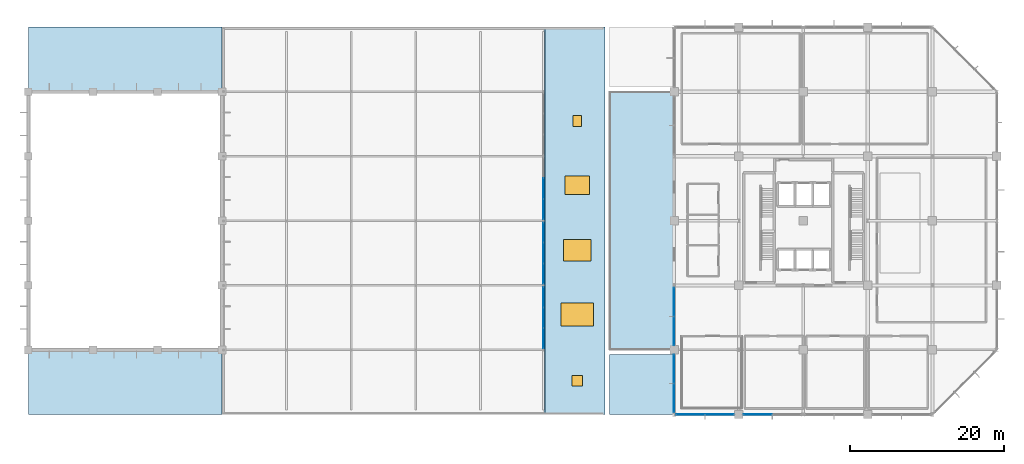
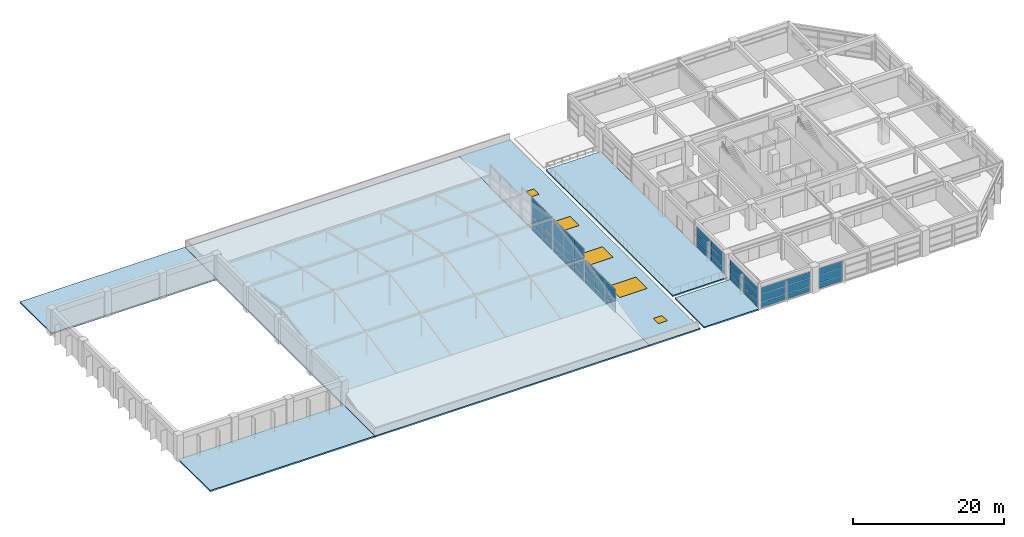
# One storey, part 27 of 34: 45 plates, 6 slabs, 3 windows, 2 doors, 5 openings, 7 elements without a shape of their own.
"""IFC4 building model written with IfcOpenShell, lengths in metres."""

import ifcopenshell
import ifcopenshell.guid

model = None  # the IFC model being written
_history = None  # IfcOwnerHistory: only IFC2X3 demands one
_inside = {}  # id of a spatial element -> (the spatial element, [elements in it])
_under = {}  # id of a project, library or spatial element -> (it, [spatial elements below it])
_declared = {}  # id of a project -> (the project, [libraries it declares])
_typed = {}  # id of a type object -> (the type object, [elements of that type])
_made_of = {}  # id of a material, layer set ... -> (it, [elements and type objects made of it])


def new_model(schema):
    """Start an empty IFC model of exactly this schema.

    Asked for "IFC4X3", IfcOpenShell would pick the latest addendum, in which some entities
    have other attributes; the version numbers below select the first issue.
    IFC2X3 requires an IfcOwnerHistory on every rooted entity: one is made here for all.
    """
    global model, _history
    if schema == "IFC4X3":
        model = ifcopenshell.file(schema_version=(4, 3, 0, 0))
    else:
        model = ifcopenshell.file(schema=schema)
    _inside.clear()
    _under.clear()
    _declared.clear()
    _typed.clear()
    _made_of.clear()
    _history = None
    if model.schema == "IFC2X3":
        org = make("IfcOrganization", Name="unknown")
        user = make(
            "IfcPersonAndOrganization",
            ThePerson=make("IfcPerson", FamilyName="unknown"),
            TheOrganization=org,
        )
        app = make(
            "IfcApplication",
            ApplicationDeveloper=org,
            Version="unknown",
            ApplicationFullName="unknown",
            ApplicationIdentifier="unknown",
        )
        _history = make(
            "IfcOwnerHistory",
            OwningUser=user,
            OwningApplication=app,
            ChangeAction="ADDED",
            CreationDate=0,
        )
    return model


def make(cls, **values):
    """One entity of the class cls with the attributes given. An attribute that is None is left unset."""
    return model.create_entity(
        cls, **{name: value for name, value in values.items() if value is not None}
    )


def rooted(cls, **values):
    """An entity with a GlobalId (a new one), such as an element, a storey or a relation."""
    return make(cls, GlobalId=ifcopenshell.guid.new(), OwnerHistory=_history, **values)


def si_unit(unit_type, name, prefix=None):
    """IfcSIUnit, for example si_unit("LENGTHUNIT", "METRE", prefix="MILLI")."""
    return make("IfcSIUnit", UnitType=unit_type, Prefix=prefix, Name=name)


def assignment(units):
    """IfcUnitAssignment: the units of a project."""
    return None if units is None else make("IfcUnitAssignment", Units=units)


def point(xyz):
    """IfcCartesianPoint."""
    return None if xyz is None else make("IfcCartesianPoint", Coordinates=xyz)


def direction(xyz):
    """IfcDirection."""
    return None if xyz is None else make("IfcDirection", DirectionRatios=xyz)


def frame(location, z_axis=None, x_axis=None):
    """IfcAxis2Placement3D, a coordinate frame: its origin and axes. An axis left out is left unset."""
    return make(
        "IfcAxis2Placement3D",
        Location=point(location),
        Axis=direction(z_axis),
        RefDirection=direction(x_axis),
    )


def frame_2d(location, x_axis=None):
    """IfcAxis2Placement2D, a coordinate frame in the plane: its origin and x axis."""
    return make(
        "IfcAxis2Placement2D", Location=point(location), RefDirection=direction(x_axis)
    )


def origin():
    """The frame at (0, 0, 0) with its axes left unset."""
    return frame((0.0, 0.0, 0.0))


def origin_2d():
    """The frame at (0, 0) in the plane with its x axis left unset."""
    return frame_2d((0.0, 0.0))


def place(relative_to, where):
    """IfcLocalPlacement: puts the frame where relative to a parent placement (None: the world)."""
    return make(
        "IfcLocalPlacement", PlacementRelTo=relative_to, RelativePlacement=where
    )


def context(
    kind, dimensions, precision=None, world=None, true_north=None, identifier=None
):
    """IfcGeometricRepresentationContext, for example the 3D "Model" context."""
    return make(
        "IfcGeometricRepresentationContext",
        ContextIdentifier=identifier,
        ContextType=kind,
        CoordinateSpaceDimension=dimensions,
        Precision=precision,
        WorldCoordinateSystem=world,
        TrueNorth=true_north,
    )


def subcontext(parent, identifier, kind, view, scale=None):
    """IfcGeometricRepresentationSubContext, for example "Body" below "Model"."""
    return make(
        "IfcGeometricRepresentationSubContext",
        ContextIdentifier=identifier,
        ContextType=kind,
        ParentContext=parent,
        TargetScale=scale,
        TargetView=view,
    )


def project(units=None, contexts=None):
    """IfcProject with its units and contexts."""
    return rooted(
        "IfcProject",
        Name="project",
        RepresentationContexts=contexts,
        UnitsInContext=assignment(units),
    )


def spatial(cls, under=None, at=None, **own):
    """A site, building, storey or space (cls), placed at a placement, below another one or the project."""
    s = rooted(cls, ObjectPlacement=at, **own)
    if under is not None:
        _under.setdefault(under.id(), (under, []))[1].append(s)
    return s


def polyline(points):
    """IfcPolyline through the points."""
    return make("IfcPolyline", Points=[point(p) for p in points])


def profile(cls, at=None, kind="AREA", **sizes):
    """A parametric profile (cls). Its sizes go by their IFC names, for example OverallWidth=200.0."""
    return make(cls, ProfileType=kind, Position=at, **sizes)


def rectangle(**sizes):
    """IfcRectangleProfileDef."""
    return profile("IfcRectangleProfileDef", **sizes)


def outline(outer, holes=None, kind="AREA"):
    """IfcArbitraryClosedProfileDef: a profile drawn as a closed curve; with holes, ...WithVoids."""
    if holes is None:
        return make("IfcArbitraryClosedProfileDef", ProfileType=kind, OuterCurve=outer)
    return make(
        "IfcArbitraryProfileDefWithVoids",
        ProfileType=kind,
        OuterCurve=outer,
        InnerCurves=holes,
    )


def extrude(swept, where, along, depth):
    """IfcExtrudedAreaSolid: the profile swept, set in the frame where, extruded along a direction by depth."""
    return make(
        "IfcExtrudedAreaSolid",
        SweptArea=swept,
        Position=where,
        ExtrudedDirection=direction(along),
        Depth=depth,
    )


def shape(context_of_items, identifier, shape_type, items):
    """IfcShapeRepresentation: the items that make up one representation, for example the "Body"."""
    return make(
        "IfcShapeRepresentation",
        ContextOfItems=context_of_items,
        RepresentationIdentifier=identifier,
        RepresentationType=shape_type,
        Items=items,
    )


def material(Name=None, Category=None):
    """IfcMaterial."""
    return make("IfcMaterial", Name=Name, Category=Category)


def layer(
    of_material, thickness, ventilated=None, Name=None, Category=None, Priority=None
):
    """IfcMaterialLayer: one layer of a wall or slab, of a material (None: an air gap)."""
    return make(
        "IfcMaterialLayer",
        Material=of_material,
        LayerThickness=thickness,
        IsVentilated=ventilated,
        Name=Name,
        Category=Category,
        Priority=Priority,
    )


def layer_set(layers, Name=None):
    """IfcMaterialLayerSet."""
    return make("IfcMaterialLayerSet", MaterialLayers=layers, LayerSetName=Name)


def made_of(thing, what):
    """Note that an element or type object is made of a material, layer set ...; save() writes the relation."""
    if what is not None:
        _made_of.setdefault(what.id(), (what, []))[1].append(thing)
    return thing


def type_object(cls, material=None, **own):
    """A type object (cls), such as IfcWallType, which elements share."""
    return made_of(rooted(cls, **own), material)


def element(
    cls,
    number,
    at=None,
    inside=None,
    cuts=None,
    type_object=None,
    material=None,
    context=None,
    identifier="Body",
    shape_type=None,
    held_by="IfcProductDefinitionShape",
    body=None,
    shapes=None,
    **own,
):
    """One element of the class cls, such as IfcWall. Its Tag is "e" and its number.

    at: its placement. inside: the storey or other place that contains it. cuts: it is an
    opening in that element (IfcRelVoidsElement). A single representation is given by context,
    identifier, shape_type and body (its items); several are given by shapes. held_by: the class
    of the entity that holds the representations. save() writes the other relations.
    """
    e = rooted(cls, Tag="e%d" % number, ObjectPlacement=at, **own)
    if body is not None:
        shapes = [shape(context, identifier, shape_type, body)]
    if shapes is not None:
        e.Representation = make(held_by, Representations=shapes)
    if inside is not None:
        _inside.setdefault(inside.id(), (inside, []))[1].append(e)
    if cuts is not None:
        rooted(
            "IfcRelVoidsElement", RelatingBuildingElement=cuts, RelatedOpeningElement=e
        )
    if type_object is not None:
        _typed.setdefault(type_object.id(), (type_object, []))[1].append(e)
    return made_of(e, material)


def fill(opening, filler):
    """IfcRelFillsElement: the door or window that sits in an opening."""
    return rooted(
        "IfcRelFillsElement",
        RelatingOpeningElement=opening,
        RelatedBuildingElement=filler,
    )


def aggregate(whole, parts):
    """IfcRelAggregates: a whole, such as a stair, and the parts it consists of."""
    return rooted("IfcRelAggregates", RelatingObject=whole, RelatedObjects=parts)


def save(model, path):
    """Write the relations noted so far, then the file.

    IfcRelAggregates (storeys below a building ...), IfcRelContainedInSpatialStructure (elements
    in a storey), IfcRelDefinesByType, IfcRelAssociatesMaterial and IfcRelDeclares: one each for
    every whole, place, type object, material and project.
    """
    for whole, parts in _under.values():
        aggregate(whole, parts)
    for where, things in _inside.values():
        rooted(
            "IfcRelContainedInSpatialStructure",
            RelatedElements=things,
            RelatingStructure=where,
        )
    for kind, things in _typed.values():
        rooted("IfcRelDefinesByType", RelatedObjects=things, RelatingType=kind)
    for what, things in _made_of.values():
        rooted("IfcRelAssociatesMaterial", RelatedObjects=things, RelatingMaterial=what)
    for by, libraries in _declared.values():
        rooted("IfcRelDeclares", RelatingContext=by, RelatedDefinitions=libraries)
    model.write(path)


model = new_model("IFC4")

# Units and contexts
model_context = context("Model", 3, precision=1e-05, world=origin(), true_north=direction((0.0, 1.0)))
body_context = subcontext(model_context, "Body", "Model", "MODEL_VIEW")
ifc_project = project(units=[si_unit("LENGTHUNIT", "METRE"), si_unit("AREAUNIT", "SQUARE_METRE"), si_unit("VOLUMEUNIT", "CUBIC_METRE"), si_unit("PLANEANGLEUNIT", "RADIAN"), si_unit("MASSUNIT", "GRAM", prefix="KILO")], contexts=[model_context])

# Site, building, storey
site_placement = place(None, origin())
site = spatial("IfcSite", under=ifc_project, at=site_placement, CompositionType="ELEMENT")
building_placement = place(site_placement, origin())
building = spatial("IfcBuilding", under=site, at=building_placement, Name="Xuanlan Plaza Opera House", CompositionType="ELEMENT")
storey_placement = place(building_placement, frame((0.0, 0.0, 27.89990234375)))
storey = spatial("IfcBuildingStorey", under=building, at=storey_placement, Name="L06", CompositionType="ELEMENT", Elevation=27.89990234375)

# Curtain wall, plates
ifc_material_1 = material(Name="Anodised Aluminium 6063-T6 and Low-E Glass", Category="aluminium")
curtain_wall_type_1 = type_object("IfcCurtainWallType", Name="ENV-CW-CW-01", PredefinedType="USERDEFINED", material=ifc_material_1)
curtain_wall_1_placement = place(storey_placement, origin())
curtain_wall_1 = element("IfcCurtainWall", 1, at=curtain_wall_1_placement, inside=storey, type_object=curtain_wall_type_1, Name="Unitised Curtain Wall L06-001", ObjectType="UNITISED CURTAIN WALL", PredefinedType="USERDEFINED")
ifc_material_2 = material(Name="Laminated Acoustic Double Glazing", Category="glass")
ifc_layer_1 = layer(ifc_material_2, 0.028076171875)
ifc_layer_set_1 = layer_set([ifc_layer_1], Name="Laminated Acoustic Double Glazing")
plate_type_1 = type_object("IfcPlateType", Name="ENV-CWP-01", PredefinedType="CURTAIN_PANEL", material=ifc_layer_set_1)
plate_1_placement = place(storey_placement, frame((128.142578125, 33.60009765625, 0.090087890625), z_axis=(0.0, 0.0, 1.0), x_axis=(1.0, 0.0, 0.0)))
plate_1 = element("IfcPlate", 2, at=plate_1_placement, type_object=plate_type_1, Name="CW-01 panel 1.1", PredefinedType="CURTAIN_PANEL", context=body_context, shape_type="SweptSolid", body=[
    extrude(rectangle(XDim=3.68505859375, YDim=0.028076171875, at=origin_2d()), origin(), (0.0, 0.0, 1.0), 0.81494140625),
])
plate_2_placement = place(storey_placement, frame((128.142578125, 33.60009765625, 0.9951171875), z_axis=(0.0, 0.0, 1.0), x_axis=(1.0, 0.0, 0.0)))
plate_2 = element("IfcPlate", 3, at=plate_2_placement, type_object=plate_type_1, Name="CW-01 panel 1.2", PredefinedType="CURTAIN_PANEL", context=body_context, shape_type="SweptSolid", body=[
    extrude(rectangle(XDim=3.68505859375, YDim=0.028076171875, at=origin_2d()), origin(), (0.0, 0.0, 1.0), 1.2099609375),
])
plate_3_placement = place(storey_placement, frame((128.142578125, 33.60009765625, 2.294921875), z_axis=(0.0, 0.0, 1.0), x_axis=(1.0, 0.0, 0.0)))
plate_3 = element("IfcPlate", 4, at=plate_3_placement, type_object=plate_type_1, Name="CW-01 panel 1.3", PredefinedType="CURTAIN_PANEL", context=body_context, shape_type="SweptSolid", body=[
    extrude(rectangle(XDim=3.68505859375, YDim=0.028076171875, at=origin_2d()), origin(), (0.0, 0.0, 1.0), 0.9951171875),
])
plate_4_placement = place(storey_placement, frame((131.907470703125, 33.60009765625, 0.090087890625), z_axis=(0.0, 0.0, 1.0), x_axis=(1.0, 0.0, 0.0)))
plate_4 = element("IfcPlate", 5, at=plate_4_placement, type_object=plate_type_1, Name="CW-01 panel 2.1", PredefinedType="CURTAIN_PANEL", context=body_context, shape_type="SweptSolid", body=[
    extrude(rectangle(XDim=3.68505859375, YDim=0.028076171875, at=origin_2d()), origin(), (0.0, 0.0, 1.0), 0.81494140625),
])
plate_5_placement = place(storey_placement, frame((131.907470703125, 33.60009765625, 0.9951171875), z_axis=(0.0, 0.0, 1.0), x_axis=(1.0, 0.0, 0.0)))
plate_5 = element("IfcPlate", 6, at=plate_5_placement, type_object=plate_type_1, Name="CW-01 panel 2.2", PredefinedType="CURTAIN_PANEL", context=body_context, shape_type="SweptSolid", body=[
    extrude(rectangle(XDim=3.68505859375, YDim=0.028076171875, at=origin_2d()), origin(), (0.0, 0.0, 1.0), 1.2099609375),
])
plate_6_placement = place(storey_placement, frame((131.907470703125, 33.60009765625, 2.294921875), z_axis=(0.0, 0.0, 1.0), x_axis=(1.0, 0.0, 0.0)))
plate_6 = element("IfcPlate", 7, at=plate_6_placement, type_object=plate_type_1, Name="CW-01 panel 2.3", PredefinedType="CURTAIN_PANEL", context=body_context, shape_type="SweptSolid", body=[
    extrude(rectangle(XDim=3.68505859375, YDim=0.028076171875, at=origin_2d()), origin(), (0.0, 0.0, 1.0), 0.9951171875),
])
aggregate(curtain_wall_1, [plate_1, plate_2, plate_3, plate_4, plate_5, plate_6])

curtain_wall_type_2 = type_object("IfcCurtainWallType", Name="ENV-CW-CW-04", PredefinedType="USERDEFINED", material=ifc_material_1)
curtain_wall_2_placement = place(storey_placement, origin())
curtain_wall_2 = element("IfcCurtainWall", 8, at=curtain_wall_2_placement, inside=storey, type_object=curtain_wall_type_2, Name="Unitised Curtain Wall L06-020", ObjectType="UNITISED CURTAIN WALL", PredefinedType="USERDEFINED")
ifc_layer_2 = layer(ifc_material_2, 0.035888671875)
ifc_layer_set_2 = layer_set([ifc_layer_2], Name="Laminated Acoustic Double Glazing")
plate_type_2 = type_object("IfcPlateType", Name="ENV-CWP-03", PredefinedType="CURTAIN_PANEL", material=ifc_layer_set_2)
plate_7_placement = place(storey_placement, frame((126.0, 39.5087890625, 0.0751953125), z_axis=(0.0, 0.0, 1.0), x_axis=(0.0, -1.0, 0.0)))
plate_7 = element("IfcPlate", 9, at=plate_7_placement, type_object=plate_type_2, Name="CW-04 panel 1.1", PredefinedType="CURTAIN_PANEL", context=body_context, shape_type="SweptSolid", body=[
    extrude(rectangle(XDim=3.6923828125, YDim=0.035888671875, at=origin_2d()), origin(), (0.0, 0.0, 1.0), 0.83740234375),
])
plate_8_placement = place(storey_placement, frame((126.0, 39.5087890625, 0.987548828125), z_axis=(0.0, 0.0, 1.0), x_axis=(0.0, -1.0, 0.0)))
plate_8 = element("IfcPlate", 10, at=plate_8_placement, type_object=plate_type_2, Name="CW-04 panel 1.2", PredefinedType="CURTAIN_PANEL", context=body_context, shape_type="SweptSolid", body=[
    extrude(rectangle(XDim=3.6923828125, YDim=0.035888671875, at=origin_2d()), origin(), (0.0, 0.0, 1.0), 1.22509765625),
])
plate_9_placement = place(storey_placement, frame((126.0, 39.5087890625, 2.28759765625), z_axis=(0.0, 0.0, 1.0), x_axis=(0.0, -1.0, 0.0)))
plate_9 = element("IfcPlate", 11, at=plate_9_placement, type_object=plate_type_2, Name="CW-04 panel 1.3", PredefinedType="CURTAIN_PANEL", context=body_context, shape_type="SweptSolid", body=[
    extrude(rectangle(XDim=3.6923828125, YDim=0.035888671875, at=origin_2d()), origin(), (0.0, 0.0, 1.0), 1.017578125),
])
plate_10_placement = place(storey_placement, frame((126.0, 35.7412109375, 0.0751953125), z_axis=(0.0, 0.0, 1.0), x_axis=(0.0, -1.0, 0.0)))
plate_10 = element("IfcPlate", 12, at=plate_10_placement, type_object=plate_type_2, Name="CW-04 panel 2.1", PredefinedType="CURTAIN_PANEL", context=body_context, shape_type="SweptSolid", body=[
    extrude(rectangle(XDim=3.6923828125, YDim=0.035888671875, at=origin_2d()), origin(), (0.0, 0.0, 1.0), 0.83740234375),
])
plate_11_placement = place(storey_placement, frame((126.0, 35.7412109375, 0.987548828125), z_axis=(0.0, 0.0, 1.0), x_axis=(0.0, -1.0, 0.0)))
plate_11 = element("IfcPlate", 13, at=plate_11_placement, type_object=plate_type_2, Name="CW-04 panel 2.2", PredefinedType="CURTAIN_PANEL", context=body_context, shape_type="SweptSolid", body=[
    extrude(rectangle(XDim=3.6923828125, YDim=0.035888671875, at=origin_2d()), origin(), (0.0, 0.0, 1.0), 1.22509765625),
])
plate_12_placement = place(storey_placement, frame((126.0, 35.7412109375, 2.28759765625), z_axis=(0.0, 0.0, 1.0), x_axis=(0.0, -1.0, 0.0)))
plate_12 = element("IfcPlate", 14, at=plate_12_placement, type_object=plate_type_2, Name="CW-04 panel 2.3", PredefinedType="CURTAIN_PANEL", context=body_context, shape_type="SweptSolid", body=[
    extrude(rectangle(XDim=3.6923828125, YDim=0.035888671875, at=origin_2d()), origin(), (0.0, 0.0, 1.0), 1.017578125),
])
aggregate(curtain_wall_2, [plate_7, plate_8, plate_9, plate_10, plate_11, plate_12])

curtain_wall_type_3 = type_object("IfcCurtainWallType", Name="ENV-CW-CW-06", PredefinedType="USERDEFINED", material=ifc_material_1)
curtain_wall_3_placement = place(storey_placement, origin())
curtain_wall_3 = element("IfcCurtainWall", 15, at=curtain_wall_3_placement, inside=storey, type_object=curtain_wall_type_3, Name="Acoustic Glazed Wall SHL-L06-01", ObjectType="ACOUSTIC GLAZED WALL", PredefinedType="USERDEFINED")
plate_13_placement = place(storey_placement, frame((109.0, 43.518798828125, 0.0751953125), z_axis=(0.0, 0.0, 1.0), x_axis=(0.0, 1.0, 0.0)))
plate_13 = element("IfcPlate", 16, at=plate_13_placement, type_object=plate_type_2, Name="CW-06 panel 1.1", PredefinedType="CURTAIN_PANEL", context=body_context, shape_type="SweptSolid", body=[
    extrude(rectangle(XDim=2.58740234375, YDim=0.035888671875, at=origin_2d()), origin(), (0.0, 0.0, 1.0), 0.83740234375),
])
plate_14_placement = place(storey_placement, frame((109.0, 43.518798828125, 0.987548828125), z_axis=(0.0, 0.0, 1.0), x_axis=(0.0, 1.0, 0.0)))
plate_14 = element("IfcPlate", 17, at=plate_14_placement, type_object=plate_type_2, Name="CW-06 panel 1.2", PredefinedType="CURTAIN_PANEL", context=body_context, shape_type="SweptSolid", body=[
    extrude(rectangle(XDim=2.58740234375, YDim=0.035888671875, at=origin_2d()), origin(), (0.0, 0.0, 1.0), 1.22509765625),
])
plate_15_placement = place(storey_placement, frame((109.0, 43.518798828125, 2.28759765625), z_axis=(0.0, 0.0, 1.0), x_axis=(0.0, 1.0, 0.0)))
plate_15 = element("IfcPlate", 18, at=plate_15_placement, type_object=plate_type_2, Name="CW-06 panel 1.3", PredefinedType="CURTAIN_PANEL", context=body_context, shape_type="SweptSolid", body=[
    extrude(rectangle(XDim=2.58740234375, YDim=0.035888671875, at=origin_2d()), origin(), (0.0, 0.0, 1.0), 1.53759765625),
])
plate_16_placement = place(storey_placement, frame((109.0, 46.199951171875, 0.0751953125), z_axis=(0.0, 0.0, 1.0), x_axis=(0.0, 1.0, 0.0)))
plate_16 = element("IfcPlate", 19, at=plate_16_placement, type_object=plate_type_2, Name="CW-06 panel 2.1", PredefinedType="CURTAIN_PANEL", context=body_context, shape_type="SweptSolid", body=[
    extrude(rectangle(XDim=2.625, YDim=0.035888671875, at=origin_2d()), origin(), (0.0, 0.0, 1.0), 0.83740234375),
])
plate_17_placement = place(storey_placement, frame((109.0, 46.199951171875, 0.987548828125), z_axis=(0.0, 0.0, 1.0), x_axis=(0.0, 1.0, 0.0)))
plate_17 = element("IfcPlate", 20, at=plate_17_placement, type_object=plate_type_2, Name="CW-06 panel 2.2", PredefinedType="CURTAIN_PANEL", context=body_context, shape_type="SweptSolid", body=[
    extrude(rectangle(XDim=2.625, YDim=0.035888671875, at=origin_2d()), origin(), (0.0, 0.0, 1.0), 1.22509765625),
])
plate_18_placement = place(storey_placement, frame((109.0, 46.199951171875, 2.28759765625), z_axis=(0.0, 0.0, 1.0), x_axis=(0.0, 1.0, 0.0)))
plate_18 = element("IfcPlate", 21, at=plate_18_placement, type_object=plate_type_2, Name="CW-06 panel 2.3", PredefinedType="CURTAIN_PANEL", context=body_context, shape_type="SweptSolid", body=[
    extrude(rectangle(XDim=2.625, YDim=0.035888671875, at=origin_2d()), origin(), (0.0, 0.0, 1.0), 1.53759765625),
])
plate_19_placement = place(storey_placement, frame((109.0, 48.88134765625, 0.0751953125), z_axis=(0.0, 0.0, 1.0), x_axis=(0.0, 1.0, 0.0)))
plate_19 = element("IfcPlate", 22, at=plate_19_placement, type_object=plate_type_2, Name="CW-06 panel 3.1", PredefinedType="CURTAIN_PANEL", context=body_context, shape_type="SweptSolid", body=[
    extrude(rectangle(XDim=2.58740234375, YDim=0.035888671875, at=origin_2d()), origin(), (0.0, 0.0, 1.0), 0.83740234375),
])
plate_20_placement = place(storey_placement, frame((109.0, 48.88134765625, 0.987548828125), z_axis=(0.0, 0.0, 1.0), x_axis=(0.0, 1.0, 0.0)))
plate_20 = element("IfcPlate", 23, at=plate_20_placement, type_object=plate_type_2, Name="CW-06 panel 3.2", PredefinedType="CURTAIN_PANEL", context=body_context, shape_type="SweptSolid", body=[
    extrude(rectangle(XDim=2.58740234375, YDim=0.035888671875, at=origin_2d()), origin(), (0.0, 0.0, 1.0), 1.22509765625),
])
plate_21_placement = place(storey_placement, frame((109.0, 48.88134765625, 2.28759765625), z_axis=(0.0, 0.0, 1.0), x_axis=(0.0, 1.0, 0.0)))
plate_21 = element("IfcPlate", 24, at=plate_21_placement, type_object=plate_type_2, Name="CW-06 panel 3.3", PredefinedType="CURTAIN_PANEL", context=body_context, shape_type="SweptSolid", body=[
    extrude(rectangle(XDim=2.58740234375, YDim=0.035888671875, at=origin_2d()), origin(), (0.0, 0.0, 1.0), 1.53759765625),
])
aggregate(curtain_wall_3, [plate_13, plate_14, plate_15, plate_16, plate_17, plate_18, plate_19, plate_20, plate_21])

curtain_wall_4_placement = place(storey_placement, origin())
curtain_wall_4 = element("IfcCurtainWall", 25, at=curtain_wall_4_placement, inside=storey, type_object=curtain_wall_type_3, Name="Acoustic Glazed Wall SHL-L06-02", ObjectType="ACOUSTIC GLAZED WALL", PredefinedType="USERDEFINED")
plate_22_placement = place(storey_placement, frame((109.0, 51.918701171875, 0.0751953125), z_axis=(0.0, 0.0, 1.0), x_axis=(0.0, 1.0, 0.0)))
plate_22 = element("IfcPlate", 26, at=plate_22_placement, type_object=plate_type_2, Name="CW-06 panel 1.1", PredefinedType="CURTAIN_PANEL", context=body_context, shape_type="SweptSolid", body=[
    extrude(rectangle(XDim=2.58740234375, YDim=0.035888671875, at=origin_2d()), origin(), (0.0, 0.0, 1.0), 0.83740234375),
])
plate_23_placement = place(storey_placement, frame((109.0, 51.918701171875, 0.987548828125), z_axis=(0.0, 0.0, 1.0), x_axis=(0.0, 1.0, 0.0)))
plate_23 = element("IfcPlate", 27, at=plate_23_placement, type_object=plate_type_2, Name="CW-06 panel 1.2", PredefinedType="CURTAIN_PANEL", context=body_context, shape_type="SweptSolid", body=[
    extrude(rectangle(XDim=2.58740234375, YDim=0.035888671875, at=origin_2d()), origin(), (0.0, 0.0, 1.0), 1.22509765625),
])
plate_24_placement = place(storey_placement, frame((109.0, 51.918701171875, 2.28759765625), z_axis=(0.0, 0.0, 1.0), x_axis=(0.0, 1.0, 0.0)))
plate_24 = element("IfcPlate", 28, at=plate_24_placement, type_object=plate_type_2, Name="CW-06 panel 1.3", PredefinedType="CURTAIN_PANEL", context=body_context, shape_type="SweptSolid", body=[
    extrude(rectangle(XDim=2.58740234375, YDim=0.035888671875, at=origin_2d()), origin(), (0.0, 0.0, 1.0), 3.03759765625),
])
plate_25_placement = place(storey_placement, frame((109.0, 54.60009765625, 0.0751953125), z_axis=(0.0, 0.0, 1.0), x_axis=(0.0, 1.0, 0.0)))
plate_25 = element("IfcPlate", 29, at=plate_25_placement, type_object=plate_type_2, Name="CW-06 panel 2.1", PredefinedType="CURTAIN_PANEL", context=body_context, shape_type="SweptSolid", body=[
    extrude(rectangle(XDim=2.625, YDim=0.035888671875, at=origin_2d()), origin(), (0.0, 0.0, 1.0), 0.83740234375),
])
plate_26_placement = place(storey_placement, frame((109.0, 54.60009765625, 0.987548828125), z_axis=(0.0, 0.0, 1.0), x_axis=(0.0, 1.0, 0.0)))
plate_26 = element("IfcPlate", 30, at=plate_26_placement, type_object=plate_type_2, Name="CW-06 panel 2.2", PredefinedType="CURTAIN_PANEL", context=body_context, shape_type="SweptSolid", body=[
    extrude(rectangle(XDim=2.625, YDim=0.035888671875, at=origin_2d()), origin(), (0.0, 0.0, 1.0), 1.22509765625),
])
plate_27_placement = place(storey_placement, frame((109.0, 54.60009765625, 2.28759765625), z_axis=(0.0, 0.0, 1.0), x_axis=(0.0, 1.0, 0.0)))
plate_27 = element("IfcPlate", 31, at=plate_27_placement, type_object=plate_type_2, Name="CW-06 panel 2.3", PredefinedType="CURTAIN_PANEL", context=body_context, shape_type="SweptSolid", body=[
    extrude(rectangle(XDim=2.625, YDim=0.035888671875, at=origin_2d()), origin(), (0.0, 0.0, 1.0), 3.03759765625),
])
plate_28_placement = place(storey_placement, frame((109.0, 57.28125, 0.0751953125), z_axis=(0.0, 0.0, 1.0), x_axis=(0.0, 1.0, 0.0)))
plate_28 = element("IfcPlate", 32, at=plate_28_placement, type_object=plate_type_2, Name="CW-06 panel 3.1", PredefinedType="CURTAIN_PANEL", context=body_context, shape_type="SweptSolid", body=[
    extrude(rectangle(XDim=2.58740234375, YDim=0.035888671875, at=origin_2d()), origin(), (0.0, 0.0, 1.0), 0.83740234375),
])
plate_29_placement = place(storey_placement, frame((109.0, 57.28125, 0.987548828125), z_axis=(0.0, 0.0, 1.0), x_axis=(0.0, 1.0, 0.0)))
plate_29 = element("IfcPlate", 33, at=plate_29_placement, type_object=plate_type_2, Name="CW-06 panel 3.2", PredefinedType="CURTAIN_PANEL", context=body_context, shape_type="SweptSolid", body=[
    extrude(rectangle(XDim=2.58740234375, YDim=0.035888671875, at=origin_2d()), origin(), (0.0, 0.0, 1.0), 1.22509765625),
])
plate_30_placement = place(storey_placement, frame((109.0, 57.28125, 2.28759765625), z_axis=(0.0, 0.0, 1.0), x_axis=(0.0, 1.0, 0.0)))
plate_30 = element("IfcPlate", 34, at=plate_30_placement, type_object=plate_type_2, Name="CW-06 panel 3.3", PredefinedType="CURTAIN_PANEL", context=body_context, shape_type="SweptSolid", body=[
    extrude(rectangle(XDim=2.58740234375, YDim=0.035888671875, at=origin_2d()), origin(), (0.0, 0.0, 1.0), 3.03759765625),
])
aggregate(curtain_wall_4, [plate_22, plate_23, plate_24, plate_25, plate_26, plate_27, plate_28, plate_29, plate_30])

curtain_wall_5_placement = place(storey_placement, origin())
curtain_wall_5 = element("IfcCurtainWall", 35, at=curtain_wall_5_placement, inside=storey, type_object=curtain_wall_type_3, Name="Acoustic Glazed Wall SHL-L06-03", ObjectType="ACOUSTIC GLAZED WALL", PredefinedType="USERDEFINED")
plate_31_placement = place(storey_placement, frame((109.0, 60.31884765625, 0.0751953125), z_axis=(0.0, 0.0, 1.0), x_axis=(0.0, 1.0, 0.0)))
plate_31 = element("IfcPlate", 36, at=plate_31_placement, type_object=plate_type_2, Name="CW-06 panel 1.1", PredefinedType="CURTAIN_PANEL", context=body_context, shape_type="SweptSolid", body=[
    extrude(rectangle(XDim=2.58740234375, YDim=0.035888671875, at=origin_2d()), origin(), (0.0, 0.0, 1.0), 0.83740234375),
])
plate_32_placement = place(storey_placement, frame((109.0, 60.31884765625, 0.987548828125), z_axis=(0.0, 0.0, 1.0), x_axis=(0.0, 1.0, 0.0)))
plate_32 = element("IfcPlate", 37, at=plate_32_placement, type_object=plate_type_2, Name="CW-06 panel 1.2", PredefinedType="CURTAIN_PANEL", context=body_context, shape_type="SweptSolid", body=[
    extrude(rectangle(XDim=2.58740234375, YDim=0.035888671875, at=origin_2d()), origin(), (0.0, 0.0, 1.0), 1.22509765625),
])
plate_33_placement = place(storey_placement, frame((109.0, 60.31884765625, 2.28759765625), z_axis=(0.0, 0.0, 1.0), x_axis=(0.0, 1.0, 0.0)))
plate_33 = element("IfcPlate", 38, at=plate_33_placement, type_object=plate_type_2, Name="CW-06 panel 1.3", PredefinedType="CURTAIN_PANEL", context=body_context, shape_type="SweptSolid", body=[
    extrude(rectangle(XDim=2.58740234375, YDim=0.035888671875, at=origin_2d()), origin(), (0.0, 0.0, 1.0), 3.03759765625),
])
plate_34_placement = place(storey_placement, frame((109.0, 63.0, 0.0751953125), z_axis=(0.0, 0.0, 1.0), x_axis=(0.0, 1.0, 0.0)))
plate_34 = element("IfcPlate", 39, at=plate_34_placement, type_object=plate_type_2, Name="CW-06 panel 2.1", PredefinedType="CURTAIN_PANEL", context=body_context, shape_type="SweptSolid", body=[
    extrude(rectangle(XDim=2.625, YDim=0.035888671875, at=origin_2d()), origin(), (0.0, 0.0, 1.0), 0.83740234375),
])
plate_35_placement = place(storey_placement, frame((109.0, 63.0, 0.987548828125), z_axis=(0.0, 0.0, 1.0), x_axis=(0.0, 1.0, 0.0)))
plate_35 = element("IfcPlate", 40, at=plate_35_placement, type_object=plate_type_2, Name="CW-06 panel 2.2", PredefinedType="CURTAIN_PANEL", context=body_context, shape_type="SweptSolid", body=[
    extrude(rectangle(XDim=2.625, YDim=0.035888671875, at=origin_2d()), origin(), (0.0, 0.0, 1.0), 1.22509765625),
])
plate_36_placement = place(storey_placement, frame((109.0, 63.0, 2.28759765625), z_axis=(0.0, 0.0, 1.0), x_axis=(0.0, 1.0, 0.0)))
plate_36 = element("IfcPlate", 41, at=plate_36_placement, type_object=plate_type_2, Name="CW-06 panel 2.3", PredefinedType="CURTAIN_PANEL", context=body_context, shape_type="SweptSolid", body=[
    extrude(rectangle(XDim=2.625, YDim=0.035888671875, at=origin_2d()), origin(), (0.0, 0.0, 1.0), 3.03759765625),
])
aggregate(curtain_wall_5, [plate_31, plate_32, plate_33, plate_34, plate_35, plate_36])

curtain_wall_type_4 = type_object("IfcCurtainWallType", Name="ENV-CW-CW-02", PredefinedType="USERDEFINED", material=ifc_material_1)
curtain_wall_6_placement = place(storey_placement, origin())
curtain_wall_6 = element("IfcCurtainWall", 42, at=curtain_wall_6_placement, inside=storey, type_object=curtain_wall_type_4, Name="Unitised Curtain Wall L06-002", ObjectType="UNITISED CURTAIN WALL", PredefinedType="USERDEFINED")
ifc_layer_3 = layer(ifc_material_2, 0.0400390625)
ifc_layer_set_3 = layer_set([ifc_layer_3], Name="Laminated Acoustic Double Glazing")
plate_type_3 = type_object("IfcPlateType", Name="ENV-CWP-04", PredefinedType="CURTAIN_PANEL", material=ifc_layer_set_3)
plate_37_placement = place(storey_placement, frame((136.89501953125, 33.60009765625, 0.0703125), z_axis=(0.0, 0.0, 1.0), x_axis=(1.0, 0.0, 0.0)))
plate_37 = element("IfcPlate", 43, at=plate_37_placement, type_object=plate_type_3, Name="CW-02 panel 1.1", PredefinedType="CURTAIN_PANEL", context=body_context, shape_type="SweptSolid", body=[
    extrude(rectangle(XDim=3.669921875, YDim=0.0400390625, at=origin_2d()), origin(), (0.0, 0.0, 1.0), 0.844970703125),
])
plate_38_placement = place(storey_placement, frame((136.89501953125, 33.60009765625, 0.985107421875), z_axis=(0.0, 0.0, 1.0), x_axis=(1.0, 0.0, 0.0)))
plate_38 = element("IfcPlate", 44, at=plate_38_placement, type_object=plate_type_3, Name="CW-02 panel 1.2", PredefinedType="CURTAIN_PANEL", context=body_context, shape_type="SweptSolid", body=[
    extrude(rectangle(XDim=3.669921875, YDim=0.0400390625, at=origin_2d()), origin(), (0.0, 0.0, 1.0), 1.22998046875),
])
plate_39_placement = place(storey_placement, frame((136.89501953125, 33.60009765625, 2.28515625), z_axis=(0.0, 0.0, 1.0), x_axis=(1.0, 0.0, 0.0)))
plate_39 = element("IfcPlate", 45, at=plate_39_placement, type_object=plate_type_3, Name="CW-02 panel 1.3", PredefinedType="CURTAIN_PANEL", context=body_context, shape_type="SweptSolid", body=[
    extrude(rectangle(XDim=3.669921875, YDim=0.0400390625, at=origin_2d()), origin(), (0.0, 0.0, 1.0), 1.02490234375),
])
aggregate(curtain_wall_6, [plate_37, plate_38, plate_39])

curtain_wall_type_5 = type_object("IfcCurtainWallType", Name="ENV-CW-CW-03", PredefinedType="USERDEFINED", material=ifc_material_1)
curtain_wall_7_placement = place(storey_placement, origin())
curtain_wall_7 = element("IfcCurtainWall", 46, at=curtain_wall_7_placement, inside=storey, type_object=curtain_wall_type_5, Name="Unitised Curtain Wall L06-019", ObjectType="UNITISED CURTAIN WALL", PredefinedType="USERDEFINED")
ifc_layer_4 = layer(ifc_material_2, 0.0439453125)
ifc_layer_set_4 = layer_set([ifc_layer_4], Name="Laminated Acoustic Double Glazing")
plate_type_4 = type_object("IfcPlateType", Name="ENV-CWP-05", PredefinedType="CURTAIN_PANEL", material=ifc_layer_set_4)
plate_40_placement = place(storey_placement, frame((126.0, 48.260009765625, 0.065185546875), z_axis=(0.0, 0.0, 1.0), x_axis=(0.0, -1.0, 0.0)))
plate_40 = element("IfcPlate", 47, at=plate_40_placement, type_object=plate_type_4, Name="CW-03 panel 1.1", PredefinedType="CURTAIN_PANEL", context=body_context, shape_type="SweptSolid", body=[
    extrude(rectangle(XDim=3.699951171875, YDim=0.0439453125, at=origin_2d()), origin(), (0.0, 0.0, 1.0), 0.8525390625),
])
plate_41_placement = place(storey_placement, frame((126.0, 48.260009765625, 0.982421875), z_axis=(0.0, 0.0, 1.0), x_axis=(0.0, -1.0, 0.0)))
plate_41 = element("IfcPlate", 48, at=plate_41_placement, type_object=plate_type_4, Name="CW-03 panel 1.2", PredefinedType="CURTAIN_PANEL", context=body_context, shape_type="SweptSolid", body=[
    extrude(rectangle(XDim=3.699951171875, YDim=0.0439453125, at=origin_2d()), origin(), (0.0, 0.0, 1.0), 1.235107421875),
])
plate_42_placement = place(storey_placement, frame((126.0, 48.260009765625, 2.28271484375), z_axis=(0.0, 0.0, 1.0), x_axis=(0.0, -1.0, 0.0)))
plate_42 = element("IfcPlate", 49, at=plate_42_placement, type_object=plate_type_4, Name="CW-03 panel 1.3", PredefinedType="CURTAIN_PANEL", context=body_context, shape_type="SweptSolid", body=[
    extrude(rectangle(XDim=3.699951171875, YDim=0.0439453125, at=origin_2d()), origin(), (0.0, 0.0, 1.0), 1.032470703125),
])
plate_43_placement = place(storey_placement, frame((126.0, 44.489990234375, 0.065185546875), z_axis=(0.0, 0.0, 1.0), x_axis=(0.0, -1.0, 0.0)))
plate_43 = element("IfcPlate", 50, at=plate_43_placement, type_object=plate_type_4, Name="CW-03 panel 2.1", PredefinedType="CURTAIN_PANEL", context=body_context, shape_type="SweptSolid", body=[
    extrude(rectangle(XDim=3.699951171875, YDim=0.0439453125, at=origin_2d()), origin(), (0.0, 0.0, 1.0), 0.8525390625),
])
plate_44_placement = place(storey_placement, frame((126.0, 44.489990234375, 0.982421875), z_axis=(0.0, 0.0, 1.0), x_axis=(0.0, -1.0, 0.0)))
plate_44 = element("IfcPlate", 51, at=plate_44_placement, type_object=plate_type_4, Name="CW-03 panel 2.2", PredefinedType="CURTAIN_PANEL", context=body_context, shape_type="SweptSolid", body=[
    extrude(rectangle(XDim=3.699951171875, YDim=0.0439453125, at=origin_2d()), origin(), (0.0, 0.0, 1.0), 1.235107421875),
])
plate_45_placement = place(storey_placement, frame((126.0, 44.489990234375, 2.28271484375), z_axis=(0.0, 0.0, 1.0), x_axis=(0.0, -1.0, 0.0)))
plate_45 = element("IfcPlate", 52, at=plate_45_placement, type_object=plate_type_4, Name="CW-03 panel 2.3", PredefinedType="CURTAIN_PANEL", context=body_context, shape_type="SweptSolid", body=[
    extrude(rectangle(XDim=3.699951171875, YDim=0.0439453125, at=origin_2d()), origin(), (0.0, 0.0, 1.0), 1.032470703125),
])
aggregate(curtain_wall_7, [plate_40, plate_41, plate_42, plate_43, plate_44, plate_45])

# Slab, openings, doors, windows
ifc_material_3 = material(Name="Concrete C40", Category="concrete")
ifc_layer_5 = layer(ifc_material_3, 0.235107421875)
ifc_layer_set_5 = layer_set([ifc_layer_5], Name="Concrete C40")
slab_type_1 = type_object("IfcSlabType", Name="STR-SLB-RF-02", PredefinedType="ROOF", material=ifc_layer_set_5)
slab_1_placement = place(storey_placement, frame((0.0, 0.0, -0.23486328125)))
slab_1 = element("IfcSlab", 53, at=slab_1_placement, inside=storey, type_object=slab_type_1, Name="Atrium Canyon Skylight Collar Roof Slab", PredefinedType="ROOF", context=body_context, shape_type="SweptSolid", body=[
    extrude(outline(polyline([(109.199951171875, 33.60009765625), (117.0, 33.60009765625), (117.0, 84.0), (109.199951171875, 84.0), (109.199951171875, 33.60009765625)]), holes=[polyline([(111.300048828125, 45.10009765625), (115.5, 45.10009765625), (115.5, 48.10009765625), (111.300048828125, 48.10009765625), (111.300048828125, 45.10009765625)]), polyline([(111.60009765625, 53.60009765625), (115.199951171875, 53.60009765625), (115.199951171875, 56.39990234375), (111.60009765625, 56.39990234375), (111.60009765625, 53.60009765625)]), polyline([(111.800048828125, 62.199951171875), (115.0, 62.199951171875), (115.0, 64.60009765625), (111.800048828125, 64.60009765625), (111.800048828125, 62.199951171875)]), polyline([(112.72509765625, 37.324951171875), (114.074951171875, 37.324951171875), (114.074951171875, 38.675048828125), (112.72509765625, 38.675048828125), (112.72509765625, 37.324951171875)]), polyline([(112.85009765625, 71.10009765625), (113.949951171875, 71.10009765625), (113.949951171875, 72.5), (112.85009765625, 72.5), (112.85009765625, 71.10009765625)])]), origin(), (0.0, 0.0, 1.0), 0.23486328125),
])
opening_1_placement = place(slab_1_placement, frame((113.39990234375, 46.60009765625, 0.0)))
opening_1 = element("IfcOpeningElement", 54, at=opening_1_placement, cuts=slab_1, Name="Opening SK-01", PredefinedType="OPENING", context=body_context, shape_type="SweptSolid", body=[
    extrude(rectangle(XDim=4.199951171875, YDim=3.0, at=origin_2d()), origin(), (0.0, 0.0, 1.0), 0.23486328125),
])
opening_2_placement = place(slab_1_placement, frame((113.39990234375, 55.0, 0.0)))
opening_2 = element("IfcOpeningElement", 55, at=opening_2_placement, cuts=slab_1, Name="Opening SK-03", PredefinedType="OPENING", context=body_context, shape_type="SweptSolid", body=[
    extrude(rectangle(XDim=3.60009765625, YDim=2.800048828125, at=origin_2d()), origin(), (0.0, 0.0, 1.0), 0.23486328125),
])
opening_3_placement = place(slab_1_placement, frame((113.39990234375, 63.39990234375, 0.0)))
opening_3 = element("IfcOpeningElement", 56, at=opening_3_placement, cuts=slab_1, Name="Opening SK-04", PredefinedType="OPENING", context=body_context, shape_type="SweptSolid", body=[
    extrude(rectangle(XDim=3.199951171875, YDim=2.39990234375, at=origin_2d()), origin(), (0.0, 0.0, 1.0), 0.23486328125),
])
opening_4_placement = place(slab_1_placement, frame((113.39990234375, 38.0, 0.0)))
opening_4 = element("IfcOpeningElement", 57, at=opening_4_placement, cuts=slab_1, Name="Opening HT-01", PredefinedType="OPENING", context=body_context, shape_type="SweptSolid", body=[
    extrude(rectangle(XDim=1.35009765625, YDim=1.35009765625, at=origin_2d()), origin(), (0.0, 0.0, 1.0), 0.23486328125),
])
opening_5_placement = place(slab_1_placement, frame((113.39990234375, 71.800048828125, 0.0)))
opening_5 = element("IfcOpeningElement", 58, at=opening_5_placement, cuts=slab_1, Name="Opening HT-03", PredefinedType="OPENING", context=body_context, shape_type="SweptSolid", body=[
    extrude(rectangle(XDim=1.10009765625, YDim=1.39990234375, at=origin_2d()), origin(), (0.0, 0.0, 1.0), 0.23486328125),
])
ifc_material_4 = material(Name="Galvanised Steel Q235B", Category="steel")
door_type_1 = type_object("IfcDoorType", Name="ENV-DR-HT-01", OperationType="NOTDEFINED", PredefinedType="TRAPDOOR", material=ifc_material_4)
door_1_placement = place(opening_4_placement, frame((0.0, 0.0, 0.184814453125)))
door_1 = element("IfcDoor", 59, at=door_1_placement, inside=storey, type_object=door_type_1, Name="Roof Maintenance Access Hatch HT-CYN-01", OperationType="SINGLE_SWING_LEFT", OverallHeight=1.35009765625, OverallWidth=1.35009765625, PredefinedType="TRAPDOOR", context=body_context, shape_type="SweptSolid", body=[
    extrude(rectangle(XDim=1.35009765625, YDim=1.35009765625, at=origin_2d()), origin(), (0.0, 0.0, 1.0), 0.050048828125),
])
fill(opening_4, door_1)
door_type_2 = type_object("IfcDoorType", Name="ENV-DR-HT-03", OperationType="NOTDEFINED", PredefinedType="TRAPDOOR", material=ifc_material_4)
door_2_placement = place(opening_5_placement, frame((0.0, 0.0, 0.184814453125)))
door_2 = element("IfcDoor", 60, at=door_2_placement, inside=storey, type_object=door_type_2, Name="Roof Maintenance Access Hatch HT-AUD-01", OperationType="SINGLE_SWING_RIGHT", OverallHeight=1.39990234375, OverallWidth=1.10009765625, PredefinedType="TRAPDOOR", context=body_context, shape_type="SweptSolid", body=[
    extrude(rectangle(XDim=1.10009765625, YDim=1.39990234375, at=origin_2d()), origin(), (0.0, 0.0, 1.0), 0.050048828125),
])
fill(opening_5, door_2)
window_type_1 = type_object("IfcWindowType", Name="ENV-WN-SK-01", PartitioningType="SINGLE_PANEL", PredefinedType="SKYLIGHT", material=ifc_material_1)
window_1_placement = place(opening_1_placement, frame((0.0, 0.0, 0.184814453125)))
window_1 = element("IfcWindow", 61, at=window_1_placement, inside=storey, type_object=window_type_1, Name="Atrium Canyon Roof Skylight 01", OverallHeight=3.0, OverallWidth=4.199951171875, PartitioningType="SINGLE_PANEL", PredefinedType="SKYLIGHT", context=body_context, shape_type="SweptSolid", body=[
    extrude(rectangle(XDim=4.199951171875, YDim=3.0, at=origin_2d()), origin(), (0.0, 0.0, 1.0), 0.050048828125),
])
fill(opening_1, window_1)
window_type_2 = type_object("IfcWindowType", Name="ENV-WN-SK-03", PartitioningType="SINGLE_PANEL", PredefinedType="SKYLIGHT", material=ifc_material_1)
window_2_placement = place(opening_2_placement, frame((0.0, 0.0, 0.184814453125)))
window_2 = element("IfcWindow", 62, at=window_2_placement, inside=storey, type_object=window_type_2, Name="Atrium Canyon Roof Skylight 02", OverallHeight=2.800048828125, OverallWidth=3.60009765625, PartitioningType="SINGLE_PANEL", PredefinedType="SKYLIGHT", context=body_context, shape_type="SweptSolid", body=[
    extrude(rectangle(XDim=3.60009765625, YDim=2.800048828125, at=origin_2d()), origin(), (0.0, 0.0, 1.0), 0.050048828125),
])
fill(opening_2, window_2)
window_type_3 = type_object("IfcWindowType", Name="ENV-WN-SK-04", PartitioningType="SINGLE_PANEL", PredefinedType="SKYLIGHT", material=ifc_material_1)
window_3_placement = place(opening_3_placement, frame((0.0, 0.0, 0.184814453125)))
window_3 = element("IfcWindow", 63, at=window_3_placement, inside=storey, type_object=window_type_3, Name="Atrium Canyon Roof Skylight 03", OverallHeight=2.39990234375, OverallWidth=3.199951171875, PartitioningType="SINGLE_PANEL", PredefinedType="SKYLIGHT", context=body_context, shape_type="SweptSolid", body=[
    extrude(rectangle(XDim=3.199951171875, YDim=2.39990234375, at=origin_2d()), origin(), (0.0, 0.0, 1.0), 0.050048828125),
])
fill(opening_3, window_3)

# Slabs
slab_2_placement = place(storey_placement, frame((0.0, 0.0, -0.23486328125)))
element("IfcSlab", 64, at=slab_2_placement, inside=storey, type_object=slab_type_1, Name="Opera Auditorium Structural Shell Deck Slab", PredefinedType="ROOF", context=body_context, shape_type="SweptSolid", body=[
    extrude(outline(polyline([(67.199951171875, 33.60009765625), (109.199951171875, 33.60009765625), (109.199951171875, 84.0), (67.199951171875, 84.0), (67.199951171875, 33.60009765625)])), origin(), (0.0, 0.0, 1.0), 0.23486328125),
])
ifc_layer_6 = layer(ifc_material_3, 0.22998046875)
ifc_layer_set_6 = layer_set([ifc_layer_6], Name="Concrete C40")
slab_type_2 = type_object("IfcSlabType", Name="STR-SLB-RF-03", PredefinedType="ROOF", material=ifc_layer_set_6)
slab_3_placement = place(storey_placement, frame((0.0, 0.0, -0.22998046875)))
element("IfcSlab", 65, at=slab_3_placement, inside=storey, type_object=slab_type_2, Name="Fly Tower South Shoulder Roof Slab", PredefinedType="ROOF", context=body_context, shape_type="SweptSolid", body=[
    extrude(outline(polyline([(42.0, 33.60009765625), (67.199951171875, 33.60009765625), (67.199951171875, 42.0), (42.0, 42.0), (42.0, 33.60009765625)])), origin(), (0.0, 0.0, 1.0), 0.22998046875),
])
slab_4_placement = place(storey_placement, frame((0.0, 0.0, -0.22998046875)))
element("IfcSlab", 66, at=slab_4_placement, inside=storey, type_object=slab_type_2, Name="Fly Tower North Shoulder Roof Slab", PredefinedType="ROOF", context=body_context, shape_type="SweptSolid", body=[
    extrude(outline(polyline([(42.0, 75.60009765625), (67.199951171875, 75.60009765625), (67.199951171875, 84.0), (42.0, 84.0), (42.0, 75.60009765625)])), origin(), (0.0, 0.0, 1.0), 0.22998046875),
])
slab_5_placement = place(storey_placement, frame((0.0, 0.0, -0.22998046875)))
element("IfcSlab", 67, at=slab_5_placement, inside=storey, type_object=slab_type_2, Name="Atrium Canyon South Shoulder Roof Slab", PredefinedType="ROOF", context=body_context, shape_type="SweptSolid", body=[
    extrude(outline(polyline([(117.60009765625, 33.60009765625), (126.0, 33.60009765625), (126.0, 41.39990234375), (117.60009765625, 41.39990234375), (117.60009765625, 33.60009765625)])), origin(), (0.0, 0.0, 1.0), 0.22998046875),
])
ifc_layer_7 = layer(ifc_material_3, 0.219970703125)
ifc_layer_set_7 = layer_set([ifc_layer_7], Name="Concrete C40")
slab_type_3 = type_object("IfcSlabType", Name="STR-SLB-SL-TR1", PredefinedType="FLOOR", material=ifc_layer_set_7)
slab_6_placement = place(storey_placement, frame((0.0, 0.0, -0.219970703125)))
element("IfcSlab", 68, at=slab_6_placement, inside=storey, type_object=slab_type_3, Name="Tower West Sky Terrace", PredefinedType="FLOOR", context=body_context, shape_type="SweptSolid", body=[
    extrude(outline(polyline([(117.60009765625, 42.0), (126.0, 42.0), (126.0, 75.60009765625), (117.60009765625, 75.60009765625), (117.60009765625, 42.0)])), origin(), (0.0, 0.0, 1.0), 0.219970703125),
])

save(model, "model.ifc")
